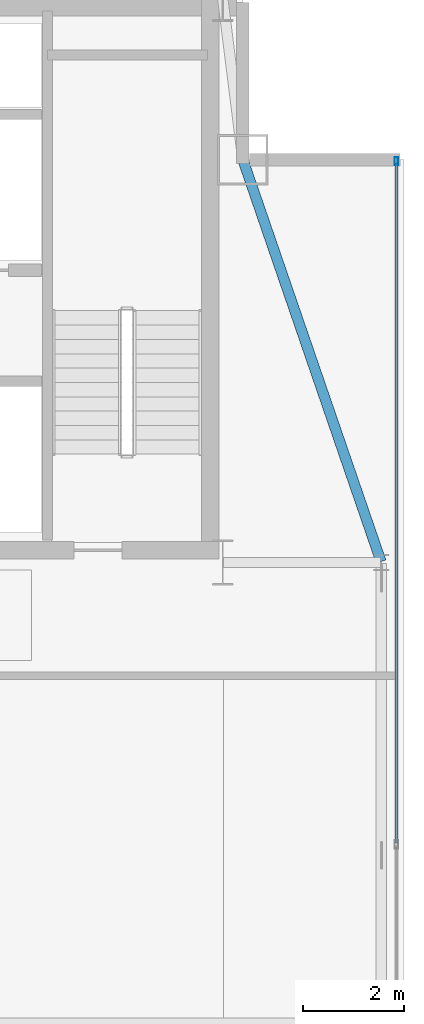
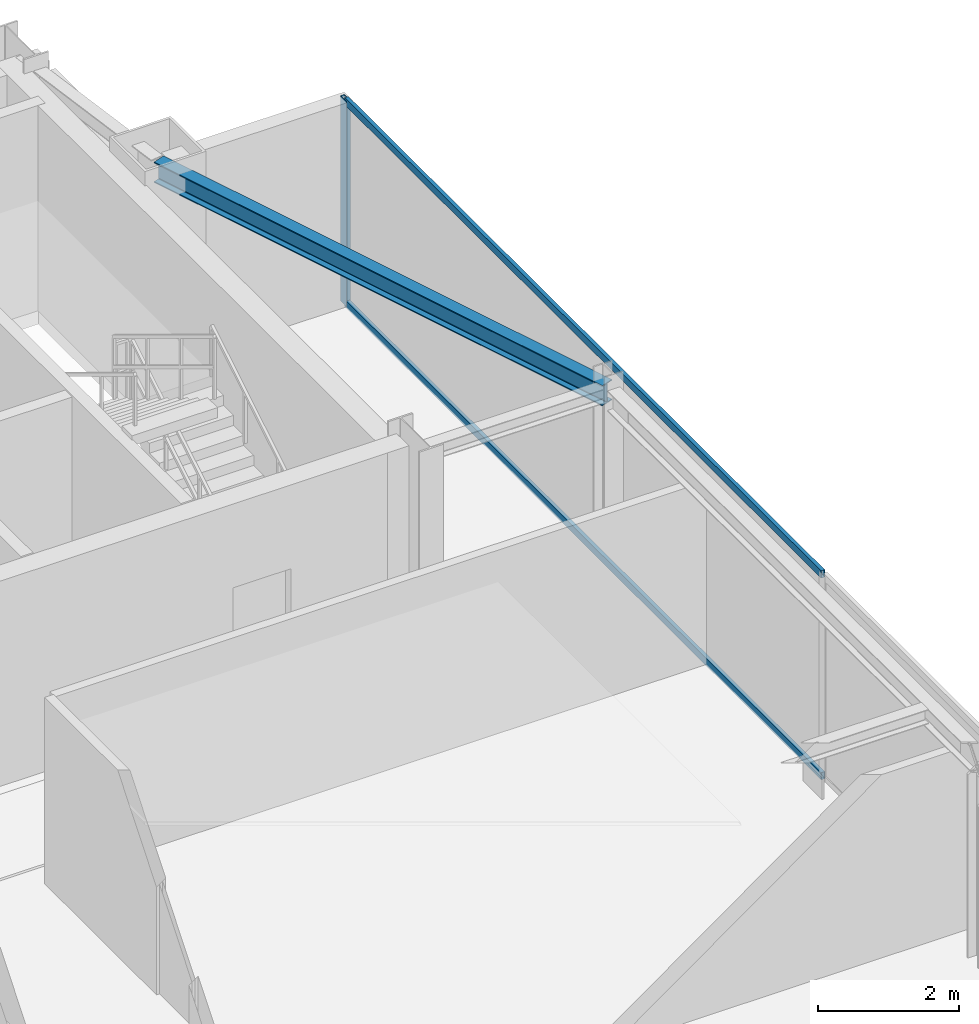
# One storey, part 17 of 24: 3 members, 1 beam, 1 element without a shape of its own.
"""IFC4 building model written with IfcOpenShell, lengths in metres."""

from ifc_helpers import new_model, si_unit, direction, frame, origin, origin_2d, place, context, subcontext, project, spatial, hollow_rectangle, i_section, extrude, source, transform, mapped, material, layer, layer_set, material_profile, profile_set, type_object, type_shapes, element, aggregate, save


model = new_model("IFC4")

# Units and contexts
model_context = context("Model", 3, precision=1e-05, world=origin(), true_north=direction((0.0, 1.0)))
body_context = subcontext(model_context, "Body", "Model", "MODEL_VIEW")
ifc_project = project(units=[si_unit("LENGTHUNIT", "METRE"), si_unit("AREAUNIT", "SQUARE_METRE"), si_unit("VOLUMEUNIT", "CUBIC_METRE"), si_unit("PLANEANGLEUNIT", "RADIAN"), si_unit("MASSUNIT", "GRAM", prefix="KILO")], contexts=[model_context])

# Site, building, storey
site_placement = place(None, origin())
site = spatial("IfcSite", under=ifc_project, at=site_placement, CompositionType="ELEMENT")
building_placement = place(site_placement, origin())
building = spatial("IfcBuilding", under=site, at=building_placement, Name="Varnel Quay Broadcast Tower", CompositionType="ELEMENT")
storey_placement = place(building_placement, frame((0.0, 0.0, 292.60009765625)))
storey = spatial("IfcBuildingStorey", under=building, at=storey_placement, Name="L73", CompositionType="ELEMENT", Elevation=292.60009765625)

# Beam
ifc_material_1 = material(Name="Structural Steel CSA G40.21 350W", Category="steel")
ifc_material_profile_1 = material_profile(ifc_material_1, i_section(OverallWidth=0.205078125, OverallDepth=0.35400390625, WebThickness=0.009521484375, FlangeThickness=0.016845703125, FilletRadius=0.012939453125, at=origin_2d()), Name="W360X79")
ifc_profile_set_1 = profile_set([ifc_material_profile_1], Name="Structural Steel CSA G40.21 350W")
beam_type = type_object("IfcBeamType", Name="Beam_W360X79", PredefinedType="SPANDREL", material=ifc_profile_set_1)
shared_shape_1 = source(origin(), body_context, "Body", "SweptSolid", [
    extrude(i_section(OverallWidth=0.205078125, OverallDepth=0.35400390625, WebThickness=0.009521484375, FlangeThickness=0.016845703125, FilletRadius=0.012939453125, at=origin_2d()), origin(), (0.0, 0.0, 1.0), 8.41943359375),
])
type_shapes(beam_type, [shared_shape_1])
beam_placement = place(storey_placement, frame((55.54345703125, 35.618896484375, 3.372802734375), z_axis=(-0.325087062108, 0.945684092099, 0.0), x_axis=(-0.945684092099, -0.325087062108, 0.0)))
element("IfcBeam", 1, at=beam_placement, inside=storey, type_object=beam_type, Name="L73 East Spandrel TC-E2-MC-NE", PredefinedType="SPANDREL", context=body_context, shape_type="MappedRepresentation", body=[
    mapped(shared_shape_1, transform((0.0, 0.0, 0.0), x_axis=(1.0, 0.0, 0.0), y_axis=(0.0, 1.0, 0.0), z_axis=(0.0, 0.0, 1.0), scale=1.0)),
])

# Curtain wall, members
ifc_material_2 = material(Name="Anodised Bronze Aluminium 6063-T6", Category="aluminium")
ifc_layer = layer(ifc_material_2, 0.18994140625, Name="Anodised Bronze Aluminium 6063-T6")
ifc_layer_set = layer_set([ifc_layer], Name="Anodised Bronze Aluminium 6063-T6")
curtain_wall_type = type_object("IfcCurtainWallType", Name="CW_UpperTower", PredefinedType="NOTDEFINED", material=ifc_layer_set)
curtain_wall_placement = place(storey_placement, origin())
curtain_wall = element("IfcCurtainWall", 2, at=curtain_wall_placement, inside=storey, type_object=curtain_wall_type, Name="L73 East Unitised Curtain Wall", PredefinedType="NOTDEFINED")
ifc_material_profile_2 = material_profile(ifc_material_2, hollow_rectangle(XDim=0.06494140625, YDim=0.1650390625, WallThickness=0.00341796875, at=origin_2d()), Name="ALU65X165X3.5")
ifc_profile_set_2 = profile_set([ifc_material_profile_2], Name="Anodised Bronze Aluminium 6063-T6")
member_type_1 = type_object("IfcMemberType", Name="Mull_CWS-03", PredefinedType="MULLION", material=ifc_profile_set_2)
shared_shape_2 = source(origin(), body_context, "Body", "SweptSolid", [
    extrude(hollow_rectangle(XDim=0.06494140625, YDim=0.1650390625, WallThickness=0.00341796875, at=origin_2d()), origin(), (0.0, 0.0, 1.0), 3.5498046875),
])
type_shapes(member_type_1, [shared_shape_2])
member_1_placement = place(storey_placement, frame((55.85009765625, 43.5673828125, 0.0), z_axis=(0.0, 0.0, 1.0), x_axis=(-1.0, 0.0, 0.0)))
member_1 = element("IfcMember", 3, at=member_1_placement, type_object=member_type_1, Name="CWS-03 mullion 3", PredefinedType="MULLION", context=body_context, shape_type="MappedRepresentation", body=[
    mapped(shared_shape_2, transform((0.0, 0.0, 0.0), x_axis=(1.0, 0.0, 0.0), y_axis=(0.0, 1.0, 0.0), z_axis=(0.0, 0.0, 1.0), scale=1.0)),
])
ifc_material_profile_3 = material_profile(ifc_material_2, hollow_rectangle(XDim=0.06005859375, YDim=0.125, WallThickness=0.0029296875, at=origin_2d()), Name="ALU60X125X3")
ifc_profile_set_3 = profile_set([ifc_material_profile_3], Name="Anodised Bronze Aluminium 6063-T6")
member_type_2 = type_object("IfcMemberType", Name="Tran_CWS-03", PredefinedType="USERDEFINED", material=ifc_profile_set_3)
shared_shape_3 = source(origin(), body_context, "Body", "SweptSolid", [
    extrude(hollow_rectangle(XDim=0.06005859375, YDim=0.125, WallThickness=0.0029296875, at=origin_2d()), origin(), (0.0, 0.0, 1.0), 13.50244140625),
])
type_shapes(member_type_2, [shared_shape_3])
member_2_placement = place(storey_placement, frame((55.85009765625, 30.032470703125, 0.02978515625), z_axis=(0.0, 1.0, 0.0), x_axis=(-1.0, 0.0, 0.0)))
member_2 = element("IfcMember", 4, at=member_2_placement, type_object=member_type_2, Name="CWS-03 transom 2.1", ObjectType="TRANSOM", PredefinedType="USERDEFINED", context=body_context, shape_type="MappedRepresentation", body=[
    mapped(shared_shape_3, transform((0.0, 0.0, 0.0), x_axis=(1.0, 0.0, 0.0), y_axis=(0.0, 1.0, 0.0), z_axis=(0.0, 0.0, 1.0), scale=1.0)),
])
member_3_placement = place(storey_placement, frame((55.85009765625, 30.032470703125, 3.52001953125), z_axis=(0.0, 1.0, 0.0), x_axis=(-1.0, 0.0, 0.0)))
member_3 = element("IfcMember", 5, at=member_3_placement, type_object=member_type_2, Name="CWS-03 transom 2.2", ObjectType="TRANSOM", PredefinedType="USERDEFINED", context=body_context, shape_type="MappedRepresentation", body=[
    mapped(shared_shape_3, transform((0.0, 0.0, 0.0), x_axis=(1.0, 0.0, 0.0), y_axis=(0.0, 1.0, 0.0), z_axis=(0.0, 0.0, 1.0), scale=1.0)),
])
aggregate(curtain_wall, [member_1, member_2, member_3])

save(model, "model.ifc")
